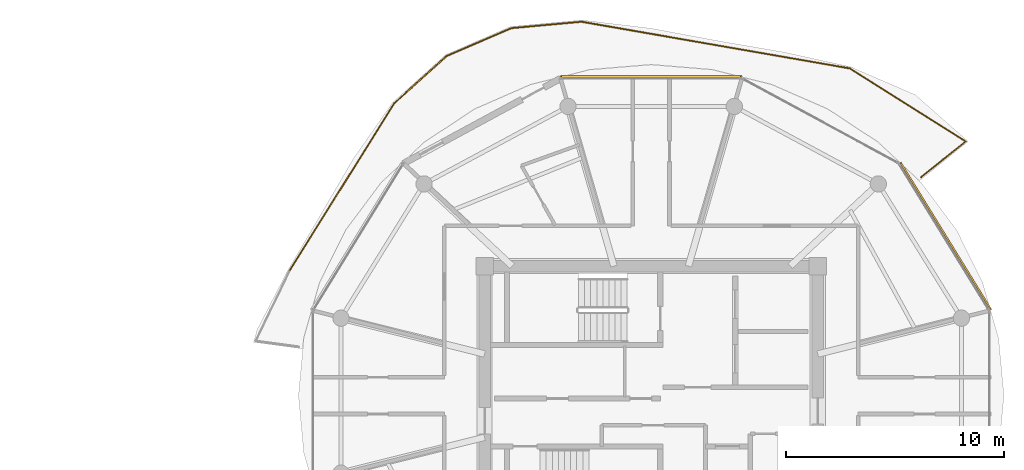
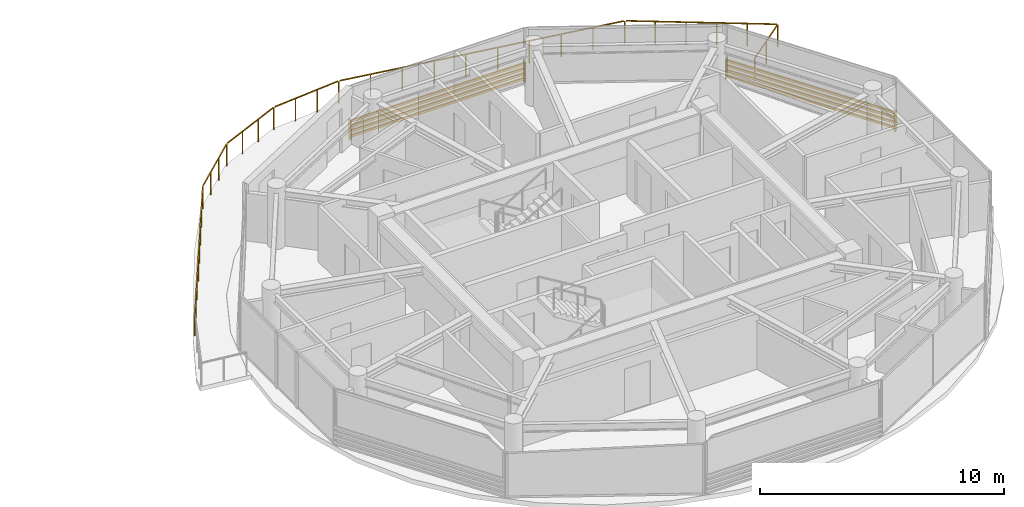
# One storey, part 19 of 19: 2 shading devices, 1 railing.
"""IFC4 building model written with IfcOpenShell, lengths in metres."""

import ifcopenshell
import ifcopenshell.guid

model = None  # the IFC model being written
_history = None  # IfcOwnerHistory: only IFC2X3 demands one
_inside = {}  # id of a spatial element -> (the spatial element, [elements in it])
_under = {}  # id of a project, library or spatial element -> (it, [spatial elements below it])
_declared = {}  # id of a project -> (the project, [libraries it declares])
_typed = {}  # id of a type object -> (the type object, [elements of that type])
_made_of = {}  # id of a material, layer set ... -> (it, [elements and type objects made of it])


def new_model(schema):
    """Start an empty IFC model of exactly this schema.

    Asked for "IFC4X3", IfcOpenShell would pick the latest addendum, in which some entities
    have other attributes; the version numbers below select the first issue.
    IFC2X3 requires an IfcOwnerHistory on every rooted entity: one is made here for all.
    """
    global model, _history
    if schema == "IFC4X3":
        model = ifcopenshell.file(schema_version=(4, 3, 0, 0))
    else:
        model = ifcopenshell.file(schema=schema)
    _inside.clear()
    _under.clear()
    _declared.clear()
    _typed.clear()
    _made_of.clear()
    _history = None
    if model.schema == "IFC2X3":
        org = make("IfcOrganization", Name="unknown")
        user = make(
            "IfcPersonAndOrganization",
            ThePerson=make("IfcPerson", FamilyName="unknown"),
            TheOrganization=org,
        )
        app = make(
            "IfcApplication",
            ApplicationDeveloper=org,
            Version="unknown",
            ApplicationFullName="unknown",
            ApplicationIdentifier="unknown",
        )
        _history = make(
            "IfcOwnerHistory",
            OwningUser=user,
            OwningApplication=app,
            ChangeAction="ADDED",
            CreationDate=0,
        )
    return model


def make(cls, **values):
    """One entity of the class cls with the attributes given. An attribute that is None is left unset."""
    return model.create_entity(
        cls, **{name: value for name, value in values.items() if value is not None}
    )


def rooted(cls, **values):
    """An entity with a GlobalId (a new one), such as an element, a storey or a relation."""
    return make(cls, GlobalId=ifcopenshell.guid.new(), OwnerHistory=_history, **values)


def si_unit(unit_type, name, prefix=None):
    """IfcSIUnit, for example si_unit("LENGTHUNIT", "METRE", prefix="MILLI")."""
    return make("IfcSIUnit", UnitType=unit_type, Prefix=prefix, Name=name)


def assignment(units):
    """IfcUnitAssignment: the units of a project."""
    return None if units is None else make("IfcUnitAssignment", Units=units)


def point(xyz):
    """IfcCartesianPoint."""
    return None if xyz is None else make("IfcCartesianPoint", Coordinates=xyz)


def direction(xyz):
    """IfcDirection."""
    return None if xyz is None else make("IfcDirection", DirectionRatios=xyz)


def frame(location, z_axis=None, x_axis=None):
    """IfcAxis2Placement3D, a coordinate frame: its origin and axes. An axis left out is left unset."""
    return make(
        "IfcAxis2Placement3D",
        Location=point(location),
        Axis=direction(z_axis),
        RefDirection=direction(x_axis),
    )


def frame_2d(location, x_axis=None):
    """IfcAxis2Placement2D, a coordinate frame in the plane: its origin and x axis."""
    return make(
        "IfcAxis2Placement2D", Location=point(location), RefDirection=direction(x_axis)
    )


def origin():
    """The frame at (0, 0, 0) with its axes left unset."""
    return frame((0.0, 0.0, 0.0))


def origin_2d():
    """The frame at (0, 0) in the plane with its x axis left unset."""
    return frame_2d((0.0, 0.0))


def place(relative_to, where):
    """IfcLocalPlacement: puts the frame where relative to a parent placement (None: the world)."""
    return make(
        "IfcLocalPlacement", PlacementRelTo=relative_to, RelativePlacement=where
    )


def context(
    kind, dimensions, precision=None, world=None, true_north=None, identifier=None
):
    """IfcGeometricRepresentationContext, for example the 3D "Model" context."""
    return make(
        "IfcGeometricRepresentationContext",
        ContextIdentifier=identifier,
        ContextType=kind,
        CoordinateSpaceDimension=dimensions,
        Precision=precision,
        WorldCoordinateSystem=world,
        TrueNorth=true_north,
    )


def subcontext(parent, identifier, kind, view, scale=None):
    """IfcGeometricRepresentationSubContext, for example "Body" below "Model"."""
    return make(
        "IfcGeometricRepresentationSubContext",
        ContextIdentifier=identifier,
        ContextType=kind,
        ParentContext=parent,
        TargetScale=scale,
        TargetView=view,
    )


def project(units=None, contexts=None):
    """IfcProject with its units and contexts."""
    return rooted(
        "IfcProject",
        Name="project",
        RepresentationContexts=contexts,
        UnitsInContext=assignment(units),
    )


def spatial(cls, under=None, at=None, **own):
    """A site, building, storey or space (cls), placed at a placement, below another one or the project."""
    s = rooted(cls, ObjectPlacement=at, **own)
    if under is not None:
        _under.setdefault(under.id(), (under, []))[1].append(s)
    return s


def profile(cls, at=None, kind="AREA", **sizes):
    """A parametric profile (cls). Its sizes go by their IFC names, for example OverallWidth=200.0."""
    return make(cls, ProfileType=kind, Position=at, **sizes)


def rectangle(**sizes):
    """IfcRectangleProfileDef."""
    return profile("IfcRectangleProfileDef", **sizes)


def extrude(swept, where, along, depth):
    """IfcExtrudedAreaSolid: the profile swept, set in the frame where, extruded along a direction by depth."""
    return make(
        "IfcExtrudedAreaSolid",
        SweptArea=swept,
        Position=where,
        ExtrudedDirection=direction(along),
        Depth=depth,
    )


def shape(context_of_items, identifier, shape_type, items):
    """IfcShapeRepresentation: the items that make up one representation, for example the "Body"."""
    return make(
        "IfcShapeRepresentation",
        ContextOfItems=context_of_items,
        RepresentationIdentifier=identifier,
        RepresentationType=shape_type,
        Items=items,
    )


def source(mapping_origin, context_of_items, identifier, shape_type, items):
    """IfcRepresentationMap: a shape defined once, which mapped items show again and again."""
    return make(
        "IfcRepresentationMap",
        MappingOrigin=mapping_origin,
        MappedRepresentation=shape(context_of_items, identifier, shape_type, items),
    )


def transform(
    local_origin,
    x_axis=None,
    y_axis=None,
    z_axis=None,
    scale=None,
    scale2=None,
    scale3=None,
    uniform=True,
):
    """IfcCartesianTransformationOperator3D, or its non-uniform kind. x_axis, y_axis, z_axis: its Axis1, 2, 3."""
    if uniform:
        return make(
            "IfcCartesianTransformationOperator3D",
            Axis1=direction(x_axis),
            Axis2=direction(y_axis),
            LocalOrigin=point(local_origin),
            Scale=scale,
            Axis3=direction(z_axis),
        )
    return make(
        "IfcCartesianTransformationOperator3DnonUniform",
        Axis1=direction(x_axis),
        Axis2=direction(y_axis),
        LocalOrigin=point(local_origin),
        Scale=scale,
        Axis3=direction(z_axis),
        Scale2=scale2,
        Scale3=scale3,
    )


def mapped(mapping_source, mapping_target):
    """IfcMappedItem: shows the shape of a source again, moved by a transform."""
    return make(
        "IfcMappedItem", MappingSource=mapping_source, MappingTarget=mapping_target
    )


def material(Name=None, Category=None):
    """IfcMaterial."""
    return make("IfcMaterial", Name=Name, Category=Category)


def made_of(thing, what):
    """Note that an element or type object is made of a material, layer set ...; save() writes the relation."""
    if what is not None:
        _made_of.setdefault(what.id(), (what, []))[1].append(thing)
    return thing


def type_object(cls, material=None, **own):
    """A type object (cls), such as IfcWallType, which elements share."""
    return made_of(rooted(cls, **own), material)


def type_shapes(of_type, sources):
    """Give a type object the sources (RepresentationMaps) that its elements show as mapped items."""
    of_type.RepresentationMaps = sources


def element(
    cls,
    number,
    at=None,
    inside=None,
    cuts=None,
    type_object=None,
    material=None,
    context=None,
    identifier="Body",
    shape_type=None,
    held_by="IfcProductDefinitionShape",
    body=None,
    shapes=None,
    **own,
):
    """One element of the class cls, such as IfcWall. Its Tag is "e" and its number.

    at: its placement. inside: the storey or other place that contains it. cuts: it is an
    opening in that element (IfcRelVoidsElement). A single representation is given by context,
    identifier, shape_type and body (its items); several are given by shapes. held_by: the class
    of the entity that holds the representations. save() writes the other relations.
    """
    e = rooted(cls, Tag="e%d" % number, ObjectPlacement=at, **own)
    if body is not None:
        shapes = [shape(context, identifier, shape_type, body)]
    if shapes is not None:
        e.Representation = make(held_by, Representations=shapes)
    if inside is not None:
        _inside.setdefault(inside.id(), (inside, []))[1].append(e)
    if cuts is not None:
        rooted(
            "IfcRelVoidsElement", RelatingBuildingElement=cuts, RelatedOpeningElement=e
        )
    if type_object is not None:
        _typed.setdefault(type_object.id(), (type_object, []))[1].append(e)
    return made_of(e, material)


def aggregate(whole, parts):
    """IfcRelAggregates: a whole, such as a stair, and the parts it consists of."""
    return rooted("IfcRelAggregates", RelatingObject=whole, RelatedObjects=parts)


def save(model, path):
    """Write the relations noted so far, then the file.

    IfcRelAggregates (storeys below a building ...), IfcRelContainedInSpatialStructure (elements
    in a storey), IfcRelDefinesByType, IfcRelAssociatesMaterial and IfcRelDeclares: one each for
    every whole, place, type object, material and project.
    """
    for whole, parts in _under.values():
        aggregate(whole, parts)
    for where, things in _inside.values():
        rooted(
            "IfcRelContainedInSpatialStructure",
            RelatedElements=things,
            RelatingStructure=where,
        )
    for kind, things in _typed.values():
        rooted("IfcRelDefinesByType", RelatedObjects=things, RelatingType=kind)
    for what, things in _made_of.values():
        rooted("IfcRelAssociatesMaterial", RelatedObjects=things, RelatingMaterial=what)
    for by, libraries in _declared.values():
        rooted("IfcRelDeclares", RelatingContext=by, RelatedDefinitions=libraries)
    model.write(path)


model = new_model("IFC4")

# Units and contexts
model_context = context("Model", 3, precision=1e-05, world=origin(), true_north=direction((0.0, 1.0)))
body_context = subcontext(model_context, "Body", "Model", "MODEL_VIEW")
ifc_project = project(units=[si_unit("LENGTHUNIT", "METRE"), si_unit("AREAUNIT", "SQUARE_METRE"), si_unit("VOLUMEUNIT", "CUBIC_METRE"), si_unit("PLANEANGLEUNIT", "RADIAN"), si_unit("MASSUNIT", "GRAM", prefix="KILO")], contexts=[model_context])

# Site, building, storey
site_placement = place(None, origin())
site = spatial("IfcSite", under=ifc_project, at=site_placement, CompositionType="ELEMENT")
building_placement = place(site_placement, origin())
building = spatial("IfcBuilding", under=site, at=building_placement, Name="Norrkilde Senior Care Towers", CompositionType="ELEMENT")
storey_placement = place(building_placement, frame((0.0, 0.0, 238.300048828125)))
storey = spatial("IfcBuildingStorey", under=building, at=storey_placement, Name="L74", CompositionType="ELEMENT", Elevation=238.300048828125)

# Railing
ifc_material_1 = material(Name="Anodised Aluminium", Category="aluminium")
railing_type = type_object("IfcRailingType", Name="Balcony Swirl Ribbon Guardrail 1150", PredefinedType="GUARDRAIL", material=ifc_material_1)
railing_placement = place(storey_placement, frame((11.385498046875, 5.726806640625, 0.0)))
element("IfcRailing", 1, at=railing_placement, inside=storey, type_object=railing_type, Name="L74 Perimeter Safety Guard 01", PredefinedType="GUARDRAIL", context=body_context, shape_type="SweptSolid", body=[
    extrude(rectangle(XDim=0.048095703125, YDim=0.048095703125, at=origin_2d()), frame((0.0, 0.0, 1.1259765625), z_axis=(0.53013424108, 0.84791372582, 0.0), x_axis=(-0.84791372582, 0.53013424108, 0.0)), (0.0, 0.0, 1.0), 9.04150390625),
    extrude(rectangle(XDim=0.048095703125, YDim=0.048095703125, at=origin_2d()), frame((4.84521484375, 7.728515625, 1.1259765625), z_axis=(0.742706351601, 0.6696172603, 0.0), x_axis=(-0.6696172603, 0.742706351601, 0.0)), (0.0, 0.0, 1.0), 3.1416015625),
    extrude(rectangle(XDim=0.048095703125, YDim=0.048095703125, at=origin_2d()), frame((7.24658203125, 9.8759765625, 1.1259765625), z_axis=(0.917519885646, 0.397689903625, 0.0), x_axis=(-0.397689903625, 0.917519885646, 0.0)), (0.0, 0.0, 1.0), 3.158447265625),
    extrude(rectangle(XDim=0.048095703125, YDim=0.048095703125, at=origin_2d()), frame((10.22265625, 11.15185546875, 1.1259765625), z_axis=(0.995878435383, 0.090698081234, 0.0), x_axis=(-0.090698081234, 0.995878435383, 0.0)), (0.0, 0.0, 1.0), 3.172607421875),
    extrude(rectangle(XDim=0.048095703125, YDim=0.048095703125, at=origin_2d()), frame((13.463134765625, 11.436279296875, 1.1259765625), z_axis=(0.985196702675, -0.171427702075, 0.0), x_axis=(0.171427702075, 0.985196702675, 0.0)), (0.0, 0.0, 1.0), 12.4208984375),
    extrude(rectangle(XDim=0.048095703125, YDim=0.048095703125, at=origin_2d()), frame((25.775146484375, 9.2783203125, 1.1259765625), z_axis=(0.845680883669, -0.53368890095, 0.0), x_axis=(0.53368890095, 0.845680883669, 0.0)), (0.0, 0.0, 1.0), 6.201904296875),
    extrude(rectangle(XDim=0.048095703125, YDim=0.048095703125, at=origin_2d()), frame((31.0224609375, 5.9208984375, 1.1259765625), z_axis=(-0.780332779008, -0.625364496918, 0.0), x_axis=(0.625364496918, -0.780332779008, 0.0)), (0.0, 0.0, 1.0), 2.582275390625),
    extrude(rectangle(XDim=0.0419921875, YDim=0.0419921875, at=origin_2d()), origin(), (0.0, 0.0, 1.0), 1.099853515625),
    extrude(rectangle(XDim=0.0419921875, YDim=0.0419921875, at=origin_2d()), frame((0.687744140625, 1.10009765625, 0.0)), (0.0, 0.0, 1.0), 1.099853515625),
    extrude(rectangle(XDim=0.0419921875, YDim=0.0419921875, at=origin_2d()), frame((1.375732421875, 2.200439453125, 0.0)), (0.0, 0.0, 1.0), 1.099853515625),
    extrude(rectangle(XDim=0.0419921875, YDim=0.0419921875, at=origin_2d()), frame((2.0634765625, 3.300537109375, 0.0)), (0.0, 0.0, 1.0), 1.099853515625),
    extrude(rectangle(XDim=0.0419921875, YDim=0.0419921875, at=origin_2d()), frame((2.75146484375, 4.400634765625, 0.0)), (0.0, 0.0, 1.0), 1.099853515625),
    extrude(rectangle(XDim=0.0419921875, YDim=0.0419921875, at=origin_2d()), frame((3.439208984375, 5.500732421875, 0.0)), (0.0, 0.0, 1.0), 1.099853515625),
    extrude(rectangle(XDim=0.0419921875, YDim=0.0419921875, at=origin_2d()), frame((4.127197265625, 6.60107421875, 0.0)), (0.0, 0.0, 1.0), 1.099853515625),
    extrude(rectangle(XDim=0.0419921875, YDim=0.0419921875, at=origin_2d()), frame((4.81494140625, 7.701171875, 0.0)), (0.0, 0.0, 1.0), 1.099853515625),
    extrude(rectangle(XDim=0.0419921875, YDim=0.0419921875, at=origin_2d()), frame((5.613037109375, 8.420654296875, 0.0)), (0.0, 0.0, 1.0), 1.099853515625),
    extrude(rectangle(XDim=0.0419921875, YDim=0.0419921875, at=origin_2d()), frame((6.410888671875, 9.14013671875, 0.0)), (0.0, 0.0, 1.0), 1.099853515625),
    extrude(rectangle(XDim=0.0419921875, YDim=0.0419921875, at=origin_2d()), frame((7.208984375, 9.859619140625, 0.0)), (0.0, 0.0, 1.0), 1.099853515625),
    extrude(rectangle(XDim=0.0419921875, YDim=0.0419921875, at=origin_2d()), frame((8.199951171875, 10.2890625, 0.0)), (0.0, 0.0, 1.0), 1.099853515625),
    extrude(rectangle(XDim=0.0419921875, YDim=0.0419921875, at=origin_2d()), frame((9.19091796875, 10.71875, 0.0)), (0.0, 0.0, 1.0), 1.099853515625),
    extrude(rectangle(XDim=0.0419921875, YDim=0.0419921875, at=origin_2d()), frame((10.181884765625, 11.148193359375, 0.0)), (0.0, 0.0, 1.0), 1.099853515625),
    extrude(rectangle(XDim=0.0419921875, YDim=0.0419921875, at=origin_2d()), frame((11.26220703125, 11.24658203125, 0.0)), (0.0, 0.0, 1.0), 1.099853515625),
    extrude(rectangle(XDim=0.0419921875, YDim=0.0419921875, at=origin_2d()), frame((12.342529296875, 11.344970703125, 0.0)), (0.0, 0.0, 1.0), 1.099853515625),
    extrude(rectangle(XDim=0.0419921875, YDim=0.0419921875, at=origin_2d()), frame((13.4228515625, 11.443359375, 0.0)), (0.0, 0.0, 1.0), 1.099853515625),
    extrude(rectangle(XDim=0.0419921875, YDim=0.0419921875, at=origin_2d()), frame((14.79150390625, 11.205322265625, 0.0)), (0.0, 0.0, 1.0), 1.099853515625),
    extrude(rectangle(XDim=0.0419921875, YDim=0.0419921875, at=origin_2d()), frame((16.16015625, 10.967041015625, 0.0)), (0.0, 0.0, 1.0), 1.099853515625),
    extrude(rectangle(XDim=0.0419921875, YDim=0.0419921875, at=origin_2d()), frame((17.52880859375, 10.72900390625, 0.0)), (0.0, 0.0, 1.0), 1.099853515625),
    extrude(rectangle(XDim=0.0419921875, YDim=0.0419921875, at=origin_2d()), frame((18.8974609375, 10.49072265625, 0.0)), (0.0, 0.0, 1.0), 1.099853515625),
    extrude(rectangle(XDim=0.0419921875, YDim=0.0419921875, at=origin_2d()), frame((20.265869140625, 10.252685546875, 0.0)), (0.0, 0.0, 1.0), 1.099853515625),
    extrude(rectangle(XDim=0.0419921875, YDim=0.0419921875, at=origin_2d()), frame((21.634521484375, 10.014404296875, 0.0)), (0.0, 0.0, 1.0), 1.099853515625),
    extrude(rectangle(XDim=0.0419921875, YDim=0.0419921875, at=origin_2d()), frame((23.003173828125, 9.7763671875, 0.0)), (0.0, 0.0, 1.0), 1.099853515625),
    extrude(rectangle(XDim=0.0419921875, YDim=0.0419921875, at=origin_2d()), frame((24.371826171875, 9.5380859375, 0.0)), (0.0, 0.0, 1.0), 1.099853515625),
    extrude(rectangle(XDim=0.0419921875, YDim=0.0419921875, at=origin_2d()), frame((25.740478515625, 9.300048828125, 0.0)), (0.0, 0.0, 1.0), 1.099853515625),
    extrude(rectangle(XDim=0.0419921875, YDim=0.0419921875, at=origin_2d()), frame((26.80322265625, 8.62939453125, 0.0)), (0.0, 0.0, 1.0), 1.099853515625),
    extrude(rectangle(XDim=0.0419921875, YDim=0.0419921875, at=origin_2d()), frame((27.865966796875, 7.958740234375, 0.0)), (0.0, 0.0, 1.0), 1.099853515625),
    extrude(rectangle(XDim=0.0419921875, YDim=0.0419921875, at=origin_2d()), frame((28.928955078125, 7.287841796875, 0.0)), (0.0, 0.0, 1.0), 1.099853515625),
    extrude(rectangle(XDim=0.0419921875, YDim=0.0419921875, at=origin_2d()), frame((29.99169921875, 6.6171875, 0.0)), (0.0, 0.0, 1.0), 1.099853515625),
    extrude(rectangle(XDim=0.0419921875, YDim=0.0419921875, at=origin_2d()), frame((31.054443359375, 5.946533203125, 0.0)), (0.0, 0.0, 1.0), 1.099853515625),
    extrude(rectangle(XDim=0.0419921875, YDim=0.0419921875, at=origin_2d()), frame((30.031005859375, 5.12646484375, 0.0)), (0.0, 0.0, 1.0), 1.099853515625),
    extrude(rectangle(XDim=0.0419921875, YDim=0.0419921875, at=origin_2d()), frame((29.007568359375, 4.30615234375, 0.0)), (0.0, 0.0, 1.0), 1.099853515625),
])

# Shading devices
ifc_material_2 = material(Name="Architectural Terracotta", Category="masonry")
shading_device_type = type_object("IfcShadingDeviceType", Name="Horizontal Terracotta Baguette Rack", PredefinedType="USERDEFINED", material=ifc_material_2)
shared_shape_1 = source(origin(), body_context, "Body", "SweptSolid", [
    extrude(rectangle(XDim=0.070068359375, YDim=0.110107421875, at=origin_2d()), frame((0.0, 0.090087890625, 0.125), z_axis=(1.0, 0.0, 0.0), x_axis=(0.0, 1.0, 0.0)), (0.0, 0.0, 1.0), 7.938232421875),
    extrude(rectangle(XDim=0.070068359375, YDim=0.110107421875, at=origin_2d()), frame((0.0, 0.090087890625, 0.375), z_axis=(1.0, 0.0, 0.0), x_axis=(0.0, 1.0, 0.0)), (0.0, 0.0, 1.0), 7.938232421875),
    extrude(rectangle(XDim=0.070068359375, YDim=0.110107421875, at=origin_2d()), frame((0.0, 0.090087890625, 0.625), z_axis=(1.0, 0.0, 0.0), x_axis=(0.0, 1.0, 0.0)), (0.0, 0.0, 1.0), 7.938232421875),
    extrude(rectangle(XDim=0.070068359375, YDim=0.110107421875, at=origin_2d()), frame((0.0, 0.090087890625, 0.875), z_axis=(1.0, 0.0, 0.0), x_axis=(0.0, 1.0, 0.0)), (0.0, 0.0, 1.0), 7.938232421875),
    extrude(rectangle(XDim=0.050048828125, YDim=0.1552734375, at=origin_2d()), frame((0.02490234375, 0.047607421875, 0.0)), (0.0, 0.0, 1.0), 1.0),
    extrude(rectangle(XDim=0.050048828125, YDim=0.1552734375, at=origin_2d()), frame((7.9130859375, 0.047607421875, 0.0)), (0.0, 0.0, 1.0), 1.0),
])
shading_device_1_placement = place(storey_placement, frame((39.370361328125, 10.6630859375, 0.079833984375), z_axis=(0.0, 0.0, 1.0), x_axis=(0.524250345994, -0.851576195602, 0.0)))
element("IfcShadingDevice", 2, at=shading_device_1_placement, inside=storey, type_object=shading_device_type, Name="L74 Drum E Terracotta Baguette Screen 00", ObjectType="BAGUETTE", PredefinedType="USERDEFINED", context=body_context, shape_type="MappedRepresentation", body=[
    mapped(shared_shape_1, transform((0.0, 0.0, 0.0), x_axis=(1.0, 0.0, 0.0), y_axis=(0.0, 1.0, 0.0), z_axis=(0.0, 0.0, 1.0), scale=1.0)),
])
shared_shape_2 = source(origin(), body_context, "Body", "SweptSolid", [
    extrude(rectangle(XDim=0.070068359375, YDim=0.110107421875, at=origin_2d()), frame((0.0, 0.090087890625, 0.125), z_axis=(1.0, 0.0, 0.0), x_axis=(0.0, 1.0, 0.0)), (0.0, 0.0, 1.0), 8.32373046875),
    extrude(rectangle(XDim=0.070068359375, YDim=0.110107421875, at=origin_2d()), frame((0.0, 0.090087890625, 0.375), z_axis=(1.0, 0.0, 0.0), x_axis=(0.0, 1.0, 0.0)), (0.0, 0.0, 1.0), 8.32373046875),
    extrude(rectangle(XDim=0.070068359375, YDim=0.110107421875, at=origin_2d()), frame((0.0, 0.090087890625, 0.625), z_axis=(1.0, 0.0, 0.0), x_axis=(0.0, 1.0, 0.0)), (0.0, 0.0, 1.0), 8.32373046875),
    extrude(rectangle(XDim=0.070068359375, YDim=0.110107421875, at=origin_2d()), frame((0.0, 0.090087890625, 0.875), z_axis=(1.0, 0.0, 0.0), x_axis=(0.0, 1.0, 0.0)), (0.0, 0.0, 1.0), 8.32373046875),
    extrude(rectangle(XDim=0.050048828125, YDim=0.1552734375, at=origin_2d()), frame((0.02490234375, 0.047607421875, 0.0)), (0.0, 0.0, 1.0), 1.0),
    extrude(rectangle(XDim=0.050048828125, YDim=0.1552734375, at=origin_2d()), frame((8.298828125, 0.047607421875, 0.0)), (0.0, 0.0, 1.0), 1.0),
])
type_shapes(shading_device_type, [shared_shape_1, shared_shape_2])
shading_device_2_placement = place(storey_placement, frame((23.838134765625, 14.566162109375, 0.079833984375), z_axis=(0.0, 0.0, 1.0), x_axis=(1.0, 0.0, 0.0)))
element("IfcShadingDevice", 3, at=shading_device_2_placement, inside=storey, type_object=shading_device_type, Name="L74 Drum E Terracotta Baguette Screen 02", ObjectType="BAGUETTE", PredefinedType="USERDEFINED", context=body_context, shape_type="MappedRepresentation", body=[
    mapped(shared_shape_2, transform((0.0, 0.0, 0.0), x_axis=(1.0, 0.0, 0.0), y_axis=(0.0, 1.0, 0.0), z_axis=(0.0, 0.0, 1.0), scale=1.0)),
])

save(model, "model.ifc")
